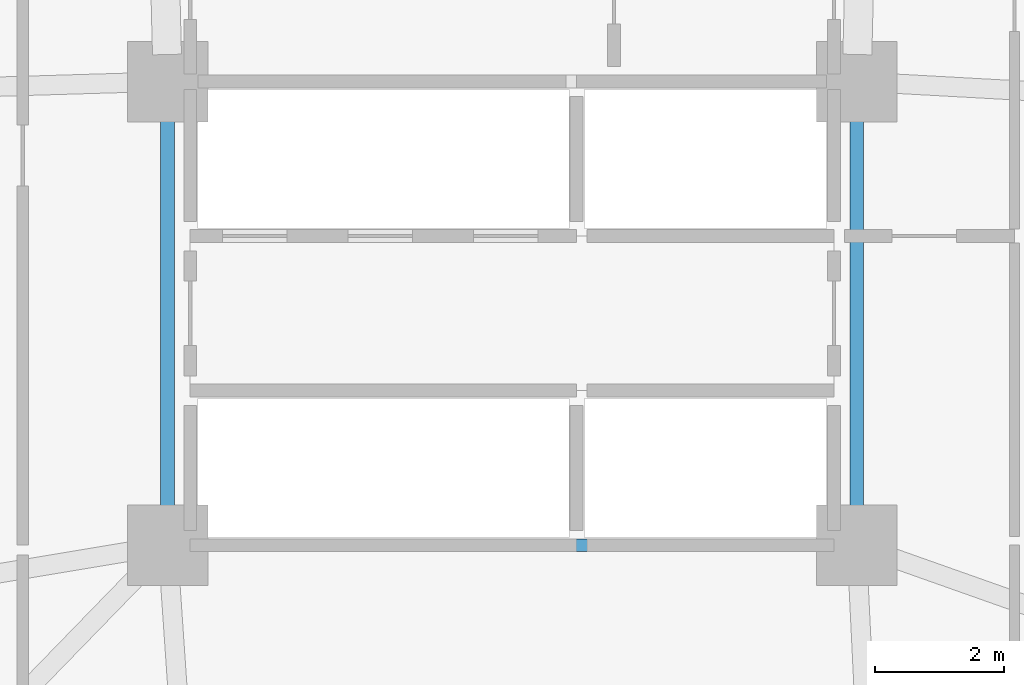
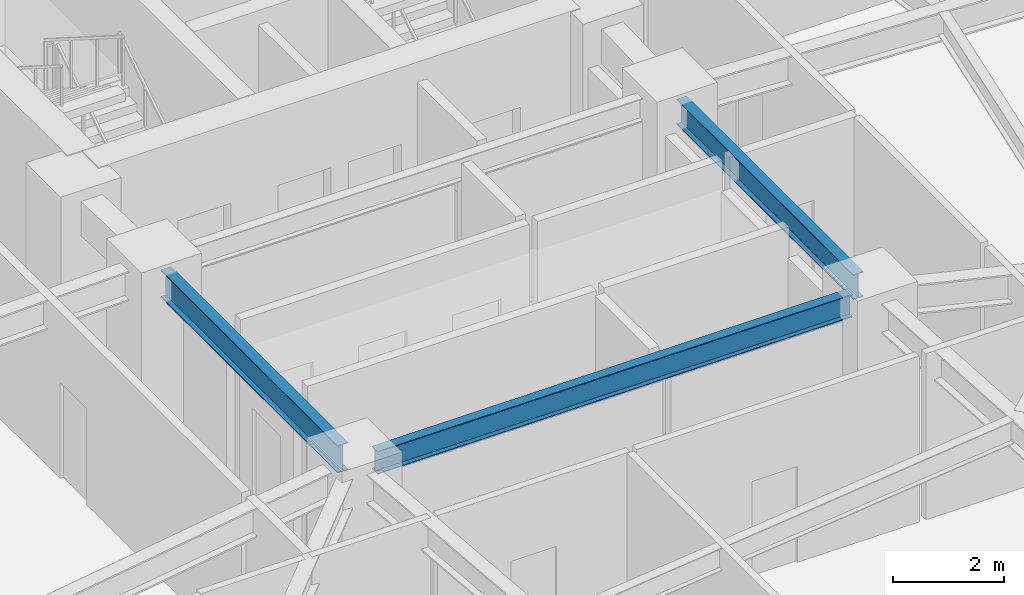
# One storey, part 9 of 25: 3 beams.
"""IFC4 building model written with IfcOpenShell, lengths in metres."""

from ifc_helpers import new_model, si_unit, direction, frame, origin, origin_2d, place, context, subcontext, project, spatial, i_section, extrude, material, material_profile, profile_set, type_object, element, save


model = new_model("IFC4")

# Units and contexts
model_context = context("Model", 3, precision=1e-05, world=origin(), true_north=direction((0.0, 1.0)))
body_context = subcontext(model_context, "Body", "Model", "MODEL_VIEW")
ifc_project = project(units=[si_unit("LENGTHUNIT", "METRE"), si_unit("AREAUNIT", "SQUARE_METRE"), si_unit("VOLUMEUNIT", "CUBIC_METRE"), si_unit("PLANEANGLEUNIT", "RADIAN"), si_unit("MASSUNIT", "GRAM", prefix="KILO")], contexts=[model_context])

# Site, building, storey
site_placement = place(None, origin())
site = spatial("IfcSite", under=ifc_project, at=site_placement, CompositionType="ELEMENT")
building_placement = place(site_placement, origin())
building = spatial("IfcBuilding", under=site, at=building_placement, Name="Varnakorn Sky Granary", CompositionType="ELEMENT")
storey_placement = place(building_placement, frame((0.0, 0.0, 39.300048828125)))
storey = spatial("IfcBuildingStorey", under=building, at=storey_placement, Name="L09", CompositionType="ELEMENT", Elevation=39.300048828125)

# Beams
ifc_material = material(Name="Steel S355JR", Category="steel")
ifc_material_profile_1 = material_profile(ifc_material, i_section(OverallWidth=0.2099609375, OverallDepth=0.550048828125, WebThickness=0.010986328125, FlangeThickness=0.01708984375, at=origin_2d()), Name="IPE 550")
ifc_profile_set_1 = profile_set([ifc_material_profile_1], Name="Steel S355JR")
beam_type_1 = type_object("IfcBeamType", Name="BM-JST-550", PredefinedType="JOIST", material=ifc_profile_set_1)
beam_1_placement = place(storey_placement, frame((8.35009765625, 0.179931640625, 3.364990234375), z_axis=(0.0, -1.0, 0.0), x_axis=(1.0, 0.0, 0.0)))
element("IfcBeam", 1, at=beam_1_placement, inside=storey, type_object=beam_type_1, Name="Core Spine Framing Beam 4 L09", PredefinedType="JOIST", context=body_context, shape_type="SweptSolid", body=[
    extrude(i_section(OverallWidth=0.2099609375, OverallDepth=0.550048828125, WebThickness=0.010986328125, FlangeThickness=0.01708984375, at=origin_2d()), origin(), (0.0, 0.0, 1.0), 6.35986328125),
])
ifc_material_profile_2 = material_profile(ifc_material, i_section(OverallWidth=0.219970703125, OverallDepth=0.60009765625, WebThickness=0.011962890625, FlangeThickness=0.01904296875, at=origin_2d()), Name="IPE 600")
ifc_profile_set_2 = profile_set([ifc_material_profile_2], Name="Steel S355JR")
beam_type_2 = type_object("IfcBeamType", Name="BM-JST-600", PredefinedType="JOIST", material=ifc_profile_set_2)
beam_2_placement = place(storey_placement, frame((-2.35009765625, 0.179931640625, 3.33984375), z_axis=(0.0, -1.0, 0.0), x_axis=(1.0, 0.0, 0.0)))
element("IfcBeam", 2, at=beam_2_placement, inside=storey, type_object=beam_type_2, Name="Core Spine Framing Beam 3 L09", PredefinedType="JOIST", context=body_context, shape_type="SweptSolid", body=[
    extrude(i_section(OverallWidth=0.219970703125, OverallDepth=0.60009765625, WebThickness=0.011962890625, FlangeThickness=0.01904296875, at=origin_2d()), origin(), (0.0, 0.0, 1.0), 6.35986328125),
])
ifc_material_profile_3 = material_profile(ifc_material, i_section(OverallWidth=0.199951171875, OverallDepth=0.5, WebThickness=0.01025390625, FlangeThickness=0.01611328125, at=origin_2d()), Name="IPE 500")
ifc_profile_set_3 = profile_set([ifc_material_profile_3], Name="Steel S355JR")
beam_type_3 = type_object("IfcBeamType", Name="BM-SEC-Z1", PredefinedType="BEAM", material=ifc_profile_set_3)
beam_3_placement = place(storey_placement, frame((-1.929931640625, -6.60009765625, 3.389892578125), z_axis=(1.0, 0.0, 0.0), x_axis=(0.0, 1.0, 0.0)))
element("IfcBeam", 3, at=beam_3_placement, inside=storey, type_object=beam_type_3, Name="Core Spine Framing Beam 6 L09", PredefinedType="BEAM", context=body_context, shape_type="SweptSolid", body=[
    extrude(i_section(OverallWidth=0.199951171875, OverallDepth=0.5, WebThickness=0.01025390625, FlangeThickness=0.01611328125, at=origin_2d()), origin(), (0.0, 0.0, 1.0), 9.85986328125),
])

save(model, "model.ifc")
